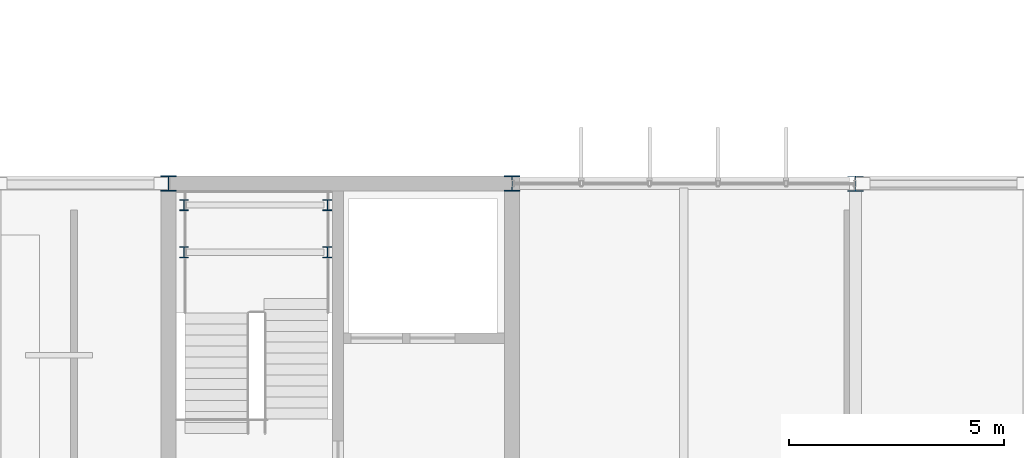
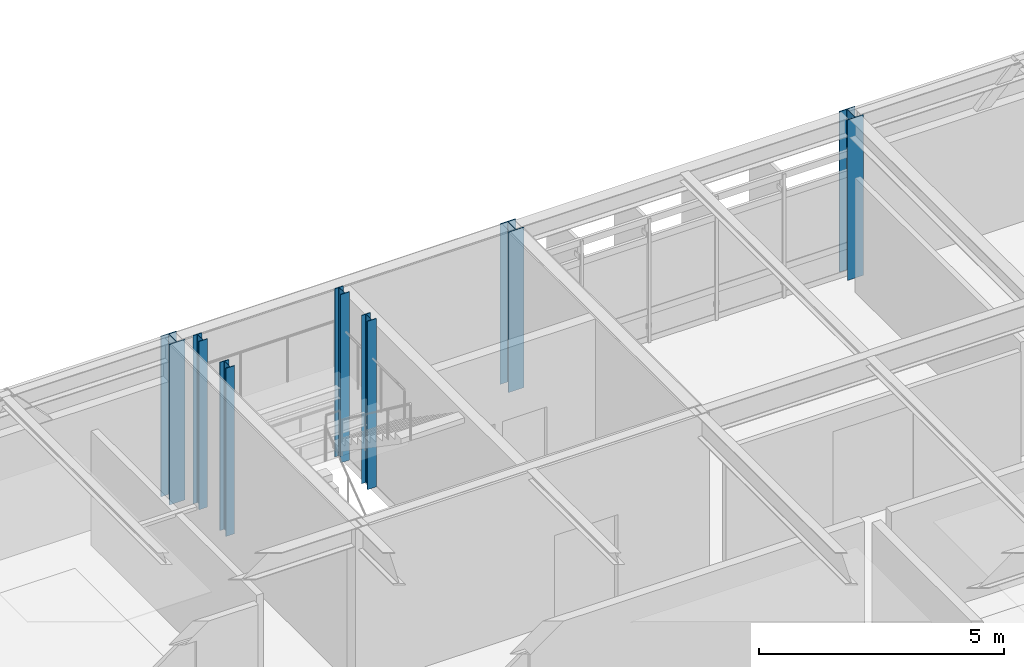
# One storey, part 2 of 45: 7 columns.
"""IFC4 building model written with IfcOpenShell, lengths in metres."""

from ifc_helpers import new_model, si_unit, direction, frame, origin, origin_2d, place, context, subcontext, project, spatial, i_section, extrude, material, material_profile, profile_set, type_object, element, save


model = new_model("IFC4")

# Units and contexts
model_context = context("Model", 3, precision=1e-05, world=origin(), true_north=direction((0.0, 1.0)))
body_context = subcontext(model_context, "Body", "Model", "MODEL_VIEW")
ifc_project = project(units=[si_unit("LENGTHUNIT", "METRE"), si_unit("AREAUNIT", "SQUARE_METRE"), si_unit("VOLUMEUNIT", "CUBIC_METRE"), si_unit("PLANEANGLEUNIT", "RADIAN"), si_unit("MASSUNIT", "GRAM", prefix="KILO")], contexts=[model_context])

# Site, building, storey
site_placement = place(None, origin())
site = spatial("IfcSite", under=ifc_project, at=site_placement, CompositionType="ELEMENT")
building_placement = place(site_placement, origin())
building = spatial("IfcBuilding", under=site, at=building_placement, Name="Zulena Civic Courthouse", CompositionType="ELEMENT")
storey_placement = place(building_placement, frame((0.0, 0.0, 29.39990234375)))
storey = spatial("IfcBuildingStorey", under=building, at=storey_placement, Name="L06", CompositionType="ELEMENT", Elevation=29.39990234375)

# Columns
ifc_material = material(Name="Steel ASTM A992 Grade 50", Category="steel")
ifc_material_profile_1 = material_profile(ifc_material, i_section(OverallWidth=0.2041015625, OverallDepth=0.257080078125, WebThickness=0.0087890625, FlangeThickness=0.015625, FilletRadius=0.0126953125, at=origin_2d()), Name="W10X45")
ifc_profile_set_1 = profile_set([ifc_material_profile_1], Name="Steel ASTM A992 Grade 50")
column_type_1 = type_object("IfcColumnType", Name="Col_W10X45", PredefinedType="COLUMN", material=ifc_profile_set_1)
for number, where, z_axis, x_axis, name in (
    (1, (20.360107421875, 21.199951171875, 0.0), (0.0, 0.0, 1.0), (1.0, 0.0, 0.0), "col:lnd:K2A:L06:0:0"),
    (2, (23.699951171875, 21.199951171875, 0.0), (0.0, 0.0, 1.0), (1.0, 0.0, 0.0), "col:lnd:K2A:L06:0:1"),
    (3, (20.360107421875, 22.300048828125, 0.0), (0.0, 0.0, 1.0), (1.0, 0.0, 0.0), "col:lnd:K2A:L06:1:0"),
    (4, (23.699951171875, 22.300048828125, 0.0), (0.0, 0.0, 1.0), (1.0, 0.0, 0.0), "col:lnd:K2A:L06:1:1"),
):
    element("IfcColumn", number, at=place(storey_placement, frame(where, z_axis=z_axis, x_axis=x_axis)), inside=storey, type_object=column_type_1, Name=name, PredefinedType="COLUMN", context=body_context, shape_type="SweptSolid", body=[
        extrude(i_section(OverallWidth=0.2041015625, OverallDepth=0.257080078125, WebThickness=0.0087890625, FlangeThickness=0.015625, FilletRadius=0.0126953125, at=origin_2d()), origin(), (0.0, 0.0, 1.0), 4.195068359375),
    ])
ifc_material_profile_2 = material_profile(ifc_material, i_section(OverallWidth=0.368896484375, OverallDepth=0.35595703125, WebThickness=0.01123046875, FlangeThickness=0.01806640625, FilletRadius=0.01513671875, at=origin_2d()), Name="W14X90")
ifc_profile_set_2 = profile_set([ifc_material_profile_2], Name="Steel ASTM A992 Grade 50")
column_type_2 = type_object("IfcColumnType", Name="Col_W14X90", PredefinedType="COLUMN", material=ifc_profile_set_2)
for number, where, z_axis, x_axis, name in (
    (5, (20.0, 22.800048828125, 0.0), (0.0, 0.0, 1.0), (1.0, 0.0, 0.0), "col:V2:L06:20.0:22.8"),
    (6, (28.0, 22.800048828125, 0.0), (0.0, 0.0, 1.0), (1.0, 0.0, 0.0), "col:V2:L06:28.0:22.8"),
):
    element("IfcColumn", number, at=place(storey_placement, frame(where, z_axis=z_axis, x_axis=x_axis)), inside=storey, type_object=column_type_2, Name=name, PredefinedType="COLUMN", context=body_context, shape_type="SweptSolid", body=[
        extrude(i_section(OverallWidth=0.368896484375, OverallDepth=0.35595703125, WebThickness=0.01123046875, FlangeThickness=0.01806640625, FilletRadius=0.01513671875, at=origin_2d()), origin(), (0.0, 0.0, 1.0), 4.0),
    ])
ifc_material_profile_3 = material_profile(ifc_material, i_section(OverallWidth=0.3701171875, OverallDepth=0.360107421875, WebThickness=0.01220703125, FlangeThickness=0.019775390625, FilletRadius=0.01513671875, at=origin_2d()), Name="W14X99")
ifc_profile_set_3 = profile_set([ifc_material_profile_3], Name="Steel ASTM A992 Grade 50")
column_type_3 = type_object("IfcColumnType", Name="Col_W14X99", PredefinedType="COLUMN", material=ifc_profile_set_3)
column_placement = place(storey_placement, frame((36.0, 22.800048828125, 0.0), z_axis=(0.0, 0.0, 1.0), x_axis=(1.0, 0.0, 0.0)))
element("IfcColumn", 7, at=column_placement, inside=storey, type_object=column_type_3, Name="col:V2:L06:36.0:22.8", PredefinedType="COLUMN", context=body_context, shape_type="SweptSolid", body=[
    extrude(i_section(OverallWidth=0.3701171875, OverallDepth=0.360107421875, WebThickness=0.01220703125, FlangeThickness=0.019775390625, FilletRadius=0.01513671875, at=origin_2d()), origin(), (0.0, 0.0, 1.0), 4.0),
])

save(model, "model.ifc")
